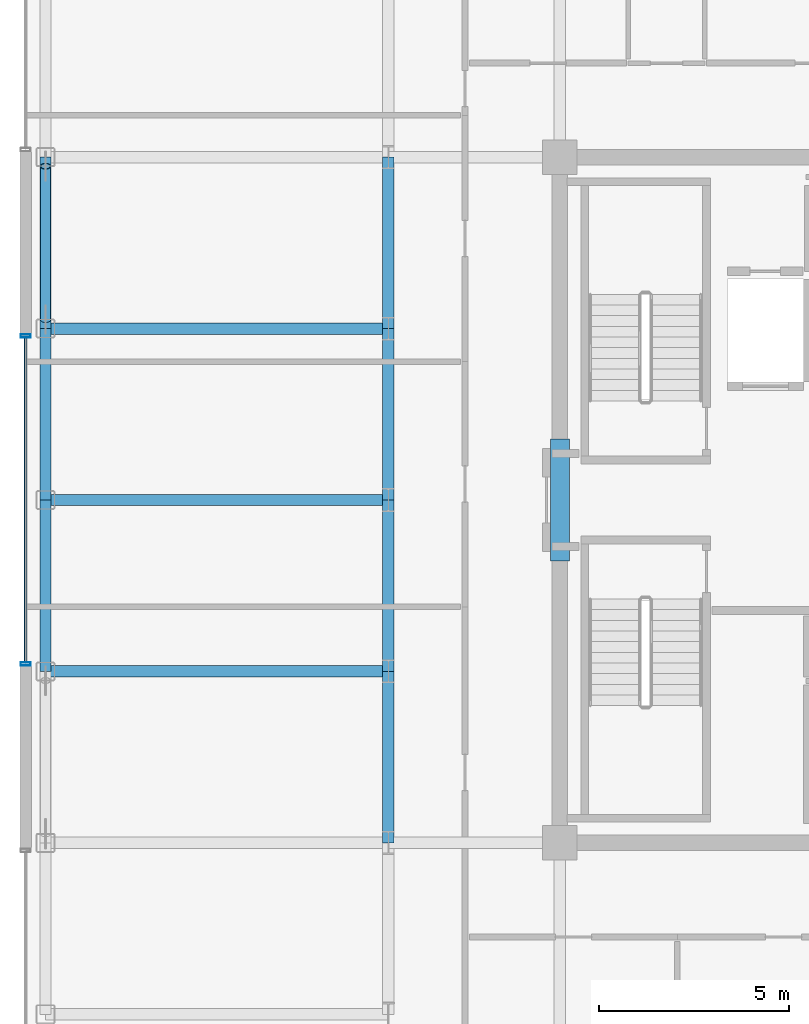
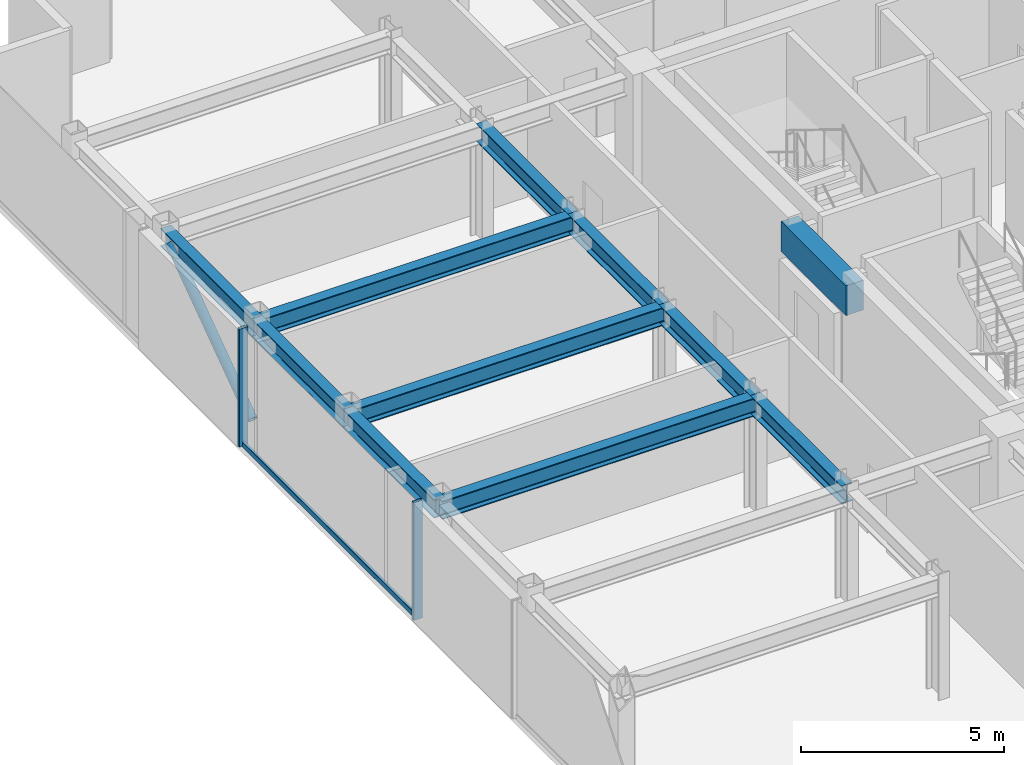
# One storey, part 4 of 16: 11 beams, 4 members, 1 element without a shape of its own.
"""IFC4 building model written with IfcOpenShell, lengths in metres."""

from ifc_helpers import new_model, si_unit, direction, frame, origin, origin_2d, place, context, subcontext, project, spatial, rectangle, hollow_rectangle, hollow_circle, i_section, extrude, source, transform, mapped, material, layer, layer_set, material_profile, profile_set, type_object, element, aggregate, save


model = new_model("IFC4")

# Units and contexts
model_context = context("Model", 3, precision=1e-05, world=origin(), true_north=direction((0.0, 1.0)))
body_context = subcontext(model_context, "Body", "Model", "MODEL_VIEW")
ifc_project = project(units=[si_unit("LENGTHUNIT", "METRE"), si_unit("AREAUNIT", "SQUARE_METRE"), si_unit("VOLUMEUNIT", "CUBIC_METRE"), si_unit("PLANEANGLEUNIT", "RADIAN"), si_unit("MASSUNIT", "GRAM", prefix="KILO")], contexts=[model_context])

# Site, building, storey
site_placement = place(None, origin())
site = spatial("IfcSite", under=ifc_project, at=site_placement, CompositionType="ELEMENT")
building_placement = place(site_placement, origin())
building = spatial("IfcBuilding", under=site, at=building_placement, Name="Nefas-Gora Pilgrimage Tower", CompositionType="ELEMENT")
storey_placement = place(building_placement, frame((0.0, 0.0, 333.800048828125)))
storey = spatial("IfcBuildingStorey", under=building, at=storey_placement, Name="L84", CompositionType="ELEMENT", Elevation=333.800048828125)

# Beam
ifc_material_1 = material(Name="Concrete C50/60", Category="concrete")
ifc_material_profile_1 = material_profile(ifc_material_1, rectangle(XDim=0.5, YDim=0.89990234375, at=origin_2d()), Name="RC 500x900")
ifc_profile_set_1 = profile_set([ifc_material_profile_1], Name="Concrete C50/60")
beam_type_1 = type_object("IfcBeamType", Name="BM-LIN-RC900", PredefinedType="LINTEL", material=ifc_profile_set_1)
shared_shape_1 = source(origin(), body_context, "Body", "SweptSolid", [
    extrude(rectangle(XDim=0.5, YDim=0.89990234375, at=origin_2d()), origin(), (0.0, 0.0, 1.0), 3.2001953125),
])
beam_placement = place(storey_placement, frame((-11.25, -1.60009765625, 3.099853515625), z_axis=(0.0, 1.0, 0.0), x_axis=(-1.0, 0.0, 0.0)))
element("IfcBeam", 1, at=beam_placement, inside=storey, type_object=beam_type_1, Name="L84 Core Coupling Lintel Beam W", PredefinedType="LINTEL", context=body_context, shape_type="MappedRepresentation", body=[
    mapped(shared_shape_1, transform((0.0, 0.0, 0.0), x_axis=(1.0, 0.0, 0.0), y_axis=(0.0, 1.0, 0.0), z_axis=(0.0, 0.0, 1.0), scale=1.0)),
])

# Member
ifc_material_2 = material(Name="Steel S355", Category="steel")
ifc_material_profile_2 = material_profile(ifc_material_2, hollow_circle(Radius=0.136474609375, WallThickness=0.01611328125, at=origin_2d()), Name="CHS 273x16")
ifc_profile_set_2 = profile_set([ifc_material_profile_2], Name="Steel S355")
member_type_1 = type_object("IfcMemberType", Name="MEM-TUBE-273", PredefinedType="BRACE", material=ifc_profile_set_2)
shared_shape_2 = source(origin(), body_context, "Body", "SweptSolid", [
    extrude(hollow_circle(Radius=0.136474609375, WallThickness=0.01611328125, at=origin_2d()), origin(), (0.0, 0.0, 1.0), 4.947998046875),
])
member_1_placement = place(storey_placement, frame((-24.75, 4.738037109375, 0.3203125), z_axis=(0.0, 0.813239767156, 0.581928759485), x_axis=(-1.0, 0.0, 0.0)))
element("IfcMember", 2, at=member_1_placement, inside=storey, type_object=member_type_1, Name="L84 Perimeter Tube Diagonal Brace W2", PredefinedType="BRACE", context=body_context, shape_type="MappedRepresentation", body=[
    mapped(shared_shape_2, transform((0.0, 0.0, 0.0), x_axis=(1.0, 0.0, 0.0), y_axis=(0.0, 1.0, 0.0), z_axis=(0.0, 0.0, 1.0), scale=1.0)),
])

# Beams
ifc_material_profile_3 = material_profile(ifc_material_2, i_section(OverallWidth=0.300048828125, OverallDepth=0.550048828125, WebThickness=0.014892578125, FlangeThickness=0.029052734375, FilletRadius=0.027099609375, at=origin_2d()), Name="HEB 550")
ifc_profile_set_3 = profile_set([ifc_material_profile_3], Name="Steel S355")
beam_type_2 = type_object("IfcBeamType", Name="BM-SPN-HEB400", PredefinedType="SPANDREL", material=ifc_profile_set_3)
shared_shape_3 = source(origin(), body_context, "Body", "SweptSolid", [
    extrude(i_section(OverallWidth=0.300048828125, OverallDepth=0.550048828125, WebThickness=0.014892578125, FlangeThickness=0.029052734375, FilletRadius=0.027099609375, at=origin_2d()), origin(), (0.0, 0.0, 1.0), 4.5),
])
for number, where, z_axis, x_axis, name in (
    (3, (-24.75, -4.5, 3.27490234375), (0.0, 1.0, 0.0), (-1.0, 0.0, 0.0), "L84 SP-04 beam"),
    (4, (-24.75, 0.0, 3.27490234375), (0.0, 1.0, 0.0), (-1.0, 0.0, 0.0), "L84 SP-04 beam"),
    (5, (-24.75, 4.5, 3.27490234375), (0.0, 1.0, 0.0), (-1.0, 0.0, 0.0), "L84 SP-04 beam"),
):
    element("IfcBeam", number, at=place(storey_placement, frame(where, z_axis=z_axis, x_axis=x_axis)), inside=storey, type_object=beam_type_2, Name=name, PredefinedType="SPANDREL", context=body_context, shape_type="MappedRepresentation", body=[
        mapped(shared_shape_3, transform((0.0, 0.0, 0.0), x_axis=(1.0, 0.0, 0.0), y_axis=(0.0, 1.0, 0.0), z_axis=(0.0, 0.0, 1.0), scale=1.0)),
    ])
ifc_material_profile_4 = material_profile(ifc_material_2, i_section(OverallWidth=0.300048828125, OverallDepth=0.550048828125, WebThickness=0.014892578125, FlangeThickness=0.029052734375, FilletRadius=0.027099609375, at=origin_2d()), Name="HEB 550")
ifc_profile_set_4 = profile_set([ifc_material_profile_4], Name="Steel S355")
beam_type_3 = type_object("IfcBeamType", Name="BM-GIR-HEB550", PredefinedType="BEAM", material=ifc_profile_set_4)
shared_shape_4 = source(origin(), body_context, "Body", "SweptSolid", [
    extrude(i_section(OverallWidth=0.300048828125, OverallDepth=0.550048828125, WebThickness=0.014892578125, FlangeThickness=0.029052734375, FilletRadius=0.027099609375, at=origin_2d()), origin(), (0.0, 0.0, 1.0), 9.0),
])
for number, where, z_axis, x_axis, name in (
    (6, (-24.75, -4.5, 3.27490234375), (1.0, 0.0, 0.0), (0.0, 1.0, 0.0), "L84 G-05 beam"),
    (7, (-24.75, 0.0, 3.27490234375), (1.0, 0.0, 0.0), (0.0, 1.0, 0.0), "L84 G-05 beam"),
    (8, (-24.75, 4.5, 3.27490234375), (1.0, 0.0, 0.0), (0.0, 1.0, 0.0), "L84 G-05 beam"),
):
    element("IfcBeam", number, at=place(storey_placement, frame(where, z_axis=z_axis, x_axis=x_axis)), inside=storey, type_object=beam_type_3, Name=name, PredefinedType="BEAM", context=body_context, shape_type="MappedRepresentation", body=[
        mapped(shared_shape_4, transform((0.0, 0.0, 0.0), x_axis=(1.0, 0.0, 0.0), y_axis=(0.0, 1.0, 0.0), z_axis=(0.0, 0.0, 1.0), scale=1.0)),
    ])
shared_shape_5 = source(origin(), body_context, "Body", "SweptSolid", [
    extrude(i_section(OverallWidth=0.300048828125, OverallDepth=0.550048828125, WebThickness=0.014892578125, FlangeThickness=0.029052734375, FilletRadius=0.027099609375, at=origin_2d()), origin(), (0.0, 0.0, 1.0), 4.5),
])
for number, where, z_axis, x_axis, name in (
    (9, (-15.75, -9.0, 3.27490234375), (0.0, 1.0, 0.0), (-1.0, 0.0, 0.0), "L84 G-05 beam"),
    (10, (-15.75, -4.5, 3.27490234375), (0.0, 1.0, 0.0), (-1.0, 0.0, 0.0), "L84 G-05 beam"),
    (11, (-15.75, 0.0, 3.27490234375), (0.0, 1.0, 0.0), (-1.0, 0.0, 0.0), "L84 G-05 beam"),
    (12, (-15.75, 4.5, 3.27490234375), (0.0, 1.0, 0.0), (-1.0, 0.0, 0.0), "L84 G-05 beam"),
):
    element("IfcBeam", number, at=place(storey_placement, frame(where, z_axis=z_axis, x_axis=x_axis)), inside=storey, type_object=beam_type_3, Name=name, PredefinedType="BEAM", context=body_context, shape_type="MappedRepresentation", body=[
        mapped(shared_shape_5, transform((0.0, 0.0, 0.0), x_axis=(1.0, 0.0, 0.0), y_axis=(0.0, 1.0, 0.0), z_axis=(0.0, 0.0, 1.0), scale=1.0)),
    ])

# Curtain wall, members
ifc_material_3 = material(Name="Dark ceramic-fritted solar-control aluminium-glass curtain wall", Category="aluminium")
ifc_layer = layer(ifc_material_3, 0.219970703125)
ifc_layer_set = layer_set([ifc_layer], Name="Dark ceramic-fritted solar-control aluminium-glass curtain wall")
curtain_wall_type = type_object("IfcCurtainWallType", Name="CW-SYS-4", PredefinedType="NOTDEFINED", material=ifc_layer_set)
curtain_wall_placement = place(storey_placement, origin())
curtain_wall = element("IfcCurtainWall", 13, at=curtain_wall_placement, inside=storey, type_object=curtain_wall_type, Name="L84 Unitised Curtain Wall CW4", PredefinedType="NOTDEFINED")
ifc_material_4 = material(Name="Anodised architectural aluminium", Category="aluminium")
ifc_material_profile_5 = material_profile(ifc_material_4, hollow_rectangle(XDim=0.080078125, YDim=0.159912109375, WallThickness=0.00439453125, InnerFilletRadius=0.00439453125, OuterFilletRadius=0.009033203125, at=origin_2d()), Name="ALU TRANSOM 80x160")
ifc_profile_set_5 = profile_set([ifc_material_profile_5], Name="Anodised architectural aluminium")
member_type_2 = type_object("IfcMemberType", Name="CWM-TRN-4", PredefinedType="USERDEFINED", material=ifc_profile_set_5)
shared_shape_6 = source(origin(), body_context, "Body", "SweptSolid", [
    extrude(hollow_rectangle(XDim=0.080078125, YDim=0.159912109375, WallThickness=0.00439453125, InnerFilletRadius=0.00439453125, OuterFilletRadius=0.009033203125, at=origin_2d()), origin(), (0.0, 0.0, 1.0), 8.52001953125),
])
member_2_placement = place(storey_placement, frame((-25.27001953125, 4.260009765625, 0.050048828125), z_axis=(0.0, -1.0, 0.0), x_axis=(1.0, 0.0, 0.0)))
member_2 = element("IfcMember", 14, at=member_2_placement, type_object=member_type_2, Name="CW4 Spandrel Transom", ObjectType="TRANSOM", PredefinedType="USERDEFINED", context=body_context, shape_type="MappedRepresentation", body=[
    mapped(shared_shape_6, transform((0.0, 0.0, 0.0), x_axis=(1.0, 0.0, 0.0), y_axis=(0.0, 1.0, 0.0), z_axis=(0.0, 0.0, 1.0), scale=1.0)),
])
ifc_material_profile_6 = material_profile(ifc_material_4, hollow_rectangle(XDim=0.090087890625, YDim=0.260009765625, WallThickness=0.006103515625, InnerFilletRadius=0.006103515625, OuterFilletRadius=0.011962890625, at=origin_2d()), Name="ALU MULLION 90x260")
ifc_profile_set_6 = profile_set([ifc_material_profile_6], Name="Anodised architectural aluminium")
member_type_3 = type_object("IfcMemberType", Name="CWM-MUL-4", PredefinedType="MULLION", material=ifc_profile_set_6)
shared_shape_7 = source(origin(), body_context, "Body", "SweptSolid", [
    extrude(hollow_rectangle(XDim=0.090087890625, YDim=0.260009765625, WallThickness=0.006103515625, InnerFilletRadius=0.006103515625, OuterFilletRadius=0.011962890625, at=origin_2d()), origin(), (0.0, 0.0, 1.0), 3.550048828125),
])
member_3_placement = place(storey_placement, frame((-25.27001953125, 4.304931640625, 0.0), z_axis=(0.0, 0.0, 1.0), x_axis=(0.0, -1.0, 0.0)))
member_3 = element("IfcMember", 15, at=member_3_placement, type_object=member_type_3, Name="CW4 Mullion 1", PredefinedType="MULLION", context=body_context, shape_type="MappedRepresentation", body=[
    mapped(shared_shape_7, transform((0.0, 0.0, 0.0), x_axis=(1.0, 0.0, 0.0), y_axis=(0.0, 1.0, 0.0), z_axis=(0.0, 0.0, 1.0), scale=1.0)),
])
member_4_placement = place(storey_placement, frame((-25.27001953125, -4.304931640625, 0.0), z_axis=(0.0, 0.0, 1.0), x_axis=(0.0, -1.0, 0.0)))
member_4 = element("IfcMember", 16, at=member_4_placement, type_object=member_type_3, Name="CW4 Mullion 2", PredefinedType="MULLION", context=body_context, shape_type="MappedRepresentation", body=[
    mapped(shared_shape_7, transform((0.0, 0.0, 0.0), x_axis=(1.0, 0.0, 0.0), y_axis=(0.0, 1.0, 0.0), z_axis=(0.0, 0.0, 1.0), scale=1.0)),
])
aggregate(curtain_wall, [member_3, member_4, member_2])

save(model, "model.ifc")
